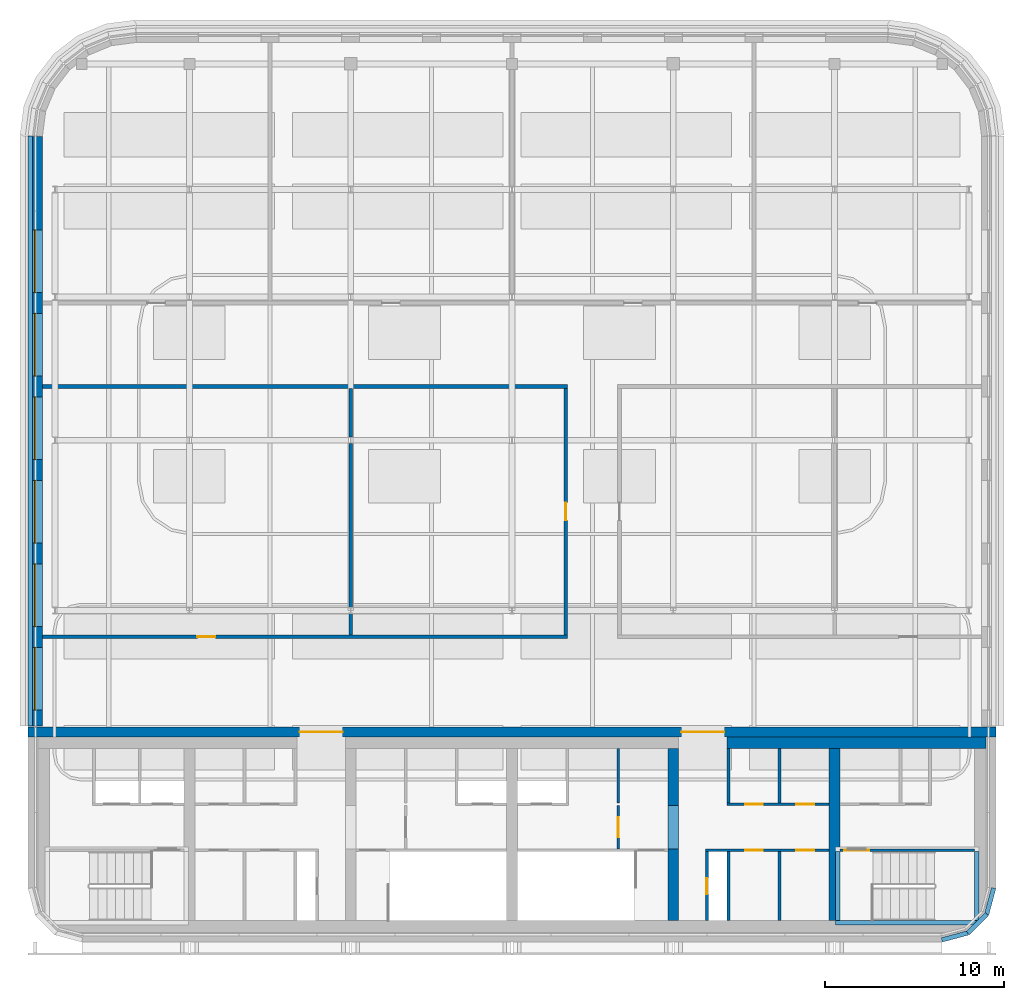
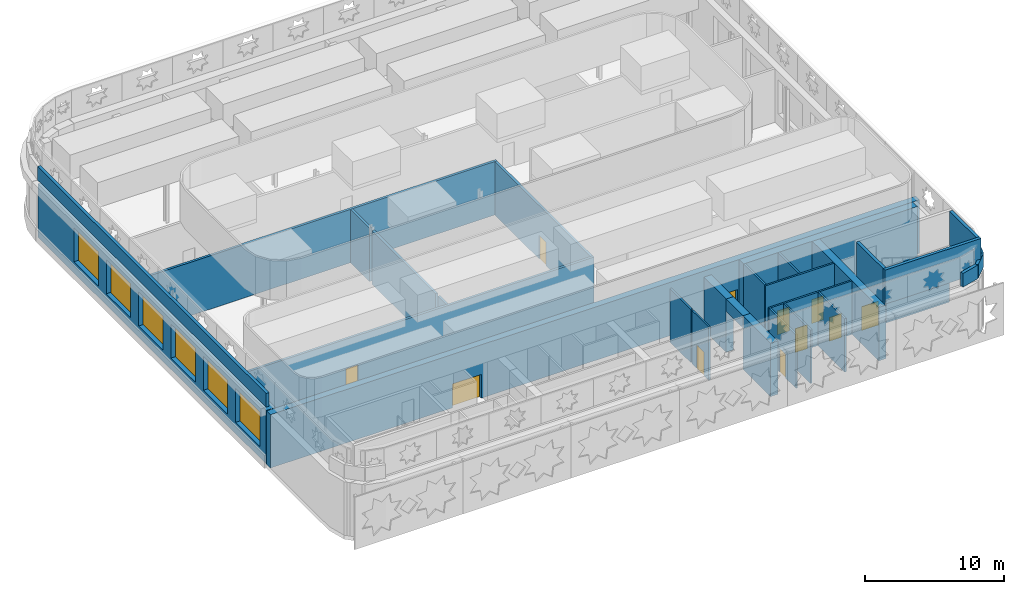
# One storey, part 7 of 14: 30 walls, 11 doors, 6 windows, 17 openings.
"""IFC4 building model written with IfcOpenShell, lengths in metres."""

from ifc_helpers import new_model, si_unit, direction, frame, frame_2d, origin, place, context, subcontext, project, spatial, rectangle, extrude, material, layer, layer_set, type_object, element, fill, save


model = new_model("IFC4")

# Units and contexts
model_context = context("Model", 3, precision=1e-05, world=origin(), true_north=direction((0.0, 1.0)))
body_context = subcontext(model_context, "Body", "Model", "MODEL_VIEW")
ifc_project = project(units=[si_unit("LENGTHUNIT", "METRE"), si_unit("AREAUNIT", "SQUARE_METRE"), si_unit("VOLUMEUNIT", "CUBIC_METRE"), si_unit("PLANEANGLEUNIT", "RADIAN"), si_unit("MASSUNIT", "GRAM", prefix="KILO")], contexts=[model_context])

# Site, building, storey
site_placement = place(None, origin())
site = spatial("IfcSite", under=ifc_project, at=site_placement, CompositionType="ELEMENT")
building_placement = place(site_placement, origin())
building = spatial("IfcBuilding", under=site, at=building_placement, Name="Zellij Exchange Tower", CompositionType="ELEMENT")
storey_placement = place(building_placement, frame((0.0, 0.0, 305.5)))
storey = spatial("IfcBuildingStorey", under=building, at=storey_placement, Name="L71", CompositionType="ELEMENT", Elevation=305.5)

# Walls
ifc_material_1 = material(Name="Concrete C50/60", Category="concrete")
ifc_layer_1 = layer(ifc_material_1, 0.60009765625)
ifc_layer_set_1 = layer_set([ifc_layer_1], Name="Concrete C50/60")
wall_type_1 = type_object("IfcWallType", Name="CORE-CW 600 C50/60", PredefinedType="SHEAR", material=ifc_layer_set_1)
wall_1_placement = place(storey_placement, frame((9.0, -12.800048828125, 0.0), z_axis=(0.0, 0.0, 1.0), x_axis=(0.0, 1.0, 0.0)))
element("IfcWall", 1, at=wall_1_placement, inside=storey, type_object=wall_type_1, Name="Core cross wall pier x 9 a L71", PredefinedType="SHEAR", context=body_context, shape_type="SweptSolid", body=[
    extrude(rectangle(XDim=4.0, YDim=0.60009765625, at=frame_2d((2.0, 0.0))), origin(), (0.0, 0.0, 1.0), 4.699951171875),
])
wall_2_placement = place(storey_placement, frame((9.0, -6.375, 0.0), z_axis=(0.0, 0.0, 1.0), x_axis=(0.0, 1.0, 0.0)))
element("IfcWall", 2, at=wall_2_placement, inside=storey, type_object=wall_type_1, Name="Core cross wall pier x 9 b L71", PredefinedType="SHEAR", context=body_context, shape_type="SweptSolid", body=[
    extrude(rectangle(XDim=3.175048828125, YDim=0.60009765625, at=frame_2d((1.58740234375, 0.0))), origin(), (0.0, 0.0, 1.0), 4.699951171875),
])
wall_3_placement = place(storey_placement, frame((9.0, -8.800048828125, 3.60009765625), z_axis=(0.0, 0.0, 1.0), x_axis=(0.0, 1.0, 0.0)))
element("IfcWall", 3, at=wall_3_placement, inside=storey, type_object=wall_type_1, Name="Core cross wall over opening x 9 L71", PredefinedType="SHEAR", context=body_context, shape_type="SweptSolid", body=[
    extrude(rectangle(XDim=2.425048828125, YDim=0.60009765625, at=frame_2d((1.21240234375, 0.0))), origin(), (0.0, 0.0, 1.0), 1.099853515625),
])
wall_4_placement = place(storey_placement, frame((18.0, -12.800048828125, 0.0), z_axis=(0.0, 0.0, 1.0), x_axis=(0.0, 1.0, 0.0)))
element("IfcWall", 4, at=wall_4_placement, inside=storey, type_object=wall_type_1, Name="Core cross wall x 18 L71", PredefinedType="SHEAR", context=body_context, shape_type="SweptSolid", body=[
    extrude(rectangle(XDim=9.60009765625, YDim=0.60009765625, at=frame_2d((4.800048828125, 0.0))), origin(), (0.0, 0.0, 1.0), 4.699951171875),
])
ifc_material_2 = material(Name="Concrete C40/50", Category="concrete")
ifc_layer_2 = layer(ifc_material_2, 0.25)
ifc_layer_set_2 = layer_set([ifc_layer_2], Name="Concrete C40/50")
wall_type_2 = type_object("IfcWallType", Name="CORE-HW 250 head-house wall", PredefinedType="SOLIDWALL", material=ifc_layer_set_2)
for number, where, z_axis, x_axis, name in (
    (5, (18.175048828125, -12.800048828125, 5.0), (0.0, 0.0, 1.0), (0.0, 1.0, 0.0), "Stair ST4 head-house wall"),
    (6, (25.925048828125, -12.800048828125, 5.0), (0.0, 0.0, 1.0), (0.0, 1.0, 0.0), "Stair ST4 head-house wall"),
):
    element("IfcWall", number, at=place(storey_placement, frame(where, z_axis=z_axis, x_axis=x_axis)), inside=storey, type_object=wall_type_2, Name=name, PredefinedType="SOLIDWALL", context=body_context, shape_type="SweptSolid", body=[
        extrude(rectangle(XDim=3.85009765625, YDim=0.25, at=frame_2d((1.925048828125, 0.0))), origin(), (0.0, 0.0, 1.0), 3.0),
    ])
wall_5_placement = place(storey_placement, frame((18.050048828125, -12.925048828125, 5.0), z_axis=(0.0, 0.0, 1.0), x_axis=(1.0, 0.0, 0.0)))
element("IfcWall", 7, at=wall_5_placement, inside=storey, type_object=wall_type_2, Name="Stair ST4 head-house wall", PredefinedType="SOLIDWALL", context=body_context, shape_type="SweptSolid", body=[
    extrude(rectangle(XDim=8.0, YDim=0.25, at=frame_2d((4.0, 0.0))), origin(), (0.0, 0.0, 1.0), 3.0),
])
ifc_material_3 = material(Name="Concrete C30/37", Category="concrete")
ifc_layer_3 = layer(ifc_material_3, 0.64990234375)
ifc_layer_set_3 = layer_set([ifc_layer_3], Name="Concrete C30/37")
wall_type_3 = type_object("IfcWallType", Name="CORE-LW 650 C30/37", PredefinedType="SHEAR", material=ifc_layer_set_3)
wall_6_placement = place(storey_placement, frame((12.0, -2.875, 0.0), z_axis=(0.0, 0.0, 1.0), x_axis=(1.0, 0.0, 0.0)))
element("IfcWall", 8, at=wall_6_placement, inside=storey, type_object=wall_type_3, Name="Core wall lining front.2 L71", PredefinedType="SHEAR", context=body_context, shape_type="SweptSolid", body=[
    extrude(rectangle(XDim=14.449951171875, YDim=0.64990234375, at=frame_2d((7.22509765625, 0.0))), origin(), (0.0, 0.0, 1.0), 4.699951171875),
])

# Wall, opening, door
ifc_material_4 = material(Name="Gypsum shaft wall system")
ifc_layer_4 = layer(ifc_material_4, 0.14990234375)
ifc_layer_set_4 = layer_set([ifc_layer_4], Name="Gypsum shaft wall system")
wall_type_4 = type_object("IfcWallType", Name="CORE-PW 150 Firefighting lobby wall", PredefinedType="PARTITIONING", material=ifc_layer_set_4)
wall_7_placement = place(storey_placement, frame((5.925048828125, -8.800048828125, 0.0), z_axis=(0.0, 0.0, 1.0), x_axis=(0.0, 1.0, 0.0)))
wall_7 = element("IfcWall", 9, at=wall_7_placement, inside=storey, type_object=wall_type_4, Name="Firefighting lobby wall L71", PredefinedType="PARTITIONING", context=body_context, shape_type="SweptSolid", body=[
    extrude(rectangle(XDim=2.425048828125, YDim=0.14990234375, at=frame_2d((1.21240234375, 0.0))), origin(), (0.0, 0.0, 1.0), 4.699951171875),
])
opening_1_placement = place(wall_7_placement, frame((0.662109375, 0.0, 0.0)))
opening_1 = element("IfcOpeningElement", 10, at=opening_1_placement, cuts=wall_7, Name="Opening CA-38.14", PredefinedType="OPENING", context=body_context, shape_type="SweptSolid", body=[
    extrude(rectangle(XDim=1.10009765625, YDim=2.10009765625, at=frame_2d((0.550048828125, 1.050048828125))), frame((0.0, 0.0869140625, 0.0), z_axis=(0.0, -1.0, 0.0), x_axis=(1.0, 0.0, 0.0)), (0.0, 0.0, 1.0), 0.173828125),
])
ifc_material_5 = material(Name="Hollow metal fire door")
door_type_1 = type_object("IfcDoorType", Name="CORE-D F Firefighting lobby door 1100x2100 1 HR", OperationType="NOTDEFINED", PredefinedType="DOOR", material=ifc_material_5)
door_1_placement = place(opening_1_placement, origin())
door_1 = element("IfcDoor", 11, at=door_1_placement, inside=storey, type_object=door_type_1, Name="Firefighting lobby door CA-38.14", OperationType="SINGLE_SWING_RIGHT", OverallHeight=2.10009765625, OverallWidth=1.10009765625, PredefinedType="DOOR", context=body_context, shape_type="SweptSolid", body=[
    extrude(rectangle(XDim=1.10009765625, YDim=2.10009765625, at=frame_2d((0.550048828125, 1.050048828125))), frame((0.0, 0.02490234375, 0.0), z_axis=(0.0, -1.0, 0.0), x_axis=(1.0, 0.0, 0.0)), (0.0, 0.0, 1.0), 0.050048828125),
])
fill(opening_1, door_1)

# Walls
ifc_layer_5 = layer(ifc_material_4, 0.14990234375)
ifc_layer_set_5 = layer_set([ifc_layer_5], Name="Gypsum shaft wall system")
wall_type_5 = type_object("IfcWallType", Name="CORE-PW 150 Plant room wall", PredefinedType="PARTITIONING", material=ifc_layer_set_5)
for number, where, z_axis, x_axis, name in (
    (12, (5.925048828125, -6.22509765625, 0.0), (0.0, 0.0, 1.0), (0.0, 1.0, 0.0), "Plant room wall L71"),
    (13, (12.074951171875, -6.22509765625, 0.0), (0.0, 0.0, 1.0), (0.0, 1.0, 0.0), "Plant room wall L71"),
    (14, (14.925048828125, -6.22509765625, 0.0), (0.0, 0.0, 1.0), (0.0, 1.0, 0.0), "Plant room wall L71"),
):
    element("IfcWall", number, at=place(storey_placement, frame(where, z_axis=z_axis, x_axis=x_axis)), inside=storey, type_object=wall_type_5, Name=name, PredefinedType="PARTITIONING", context=body_context, shape_type="SweptSolid", body=[
        extrude(rectangle(XDim=3.025146484375, YDim=0.14990234375, at=frame_2d((1.5126953125, 0.0))), origin(), (0.0, 0.0, 1.0), 4.699951171875),
    ])

# Wall, opening, door
wall_8_placement = place(storey_placement, frame((10.875, -12.800048828125, 0.0), z_axis=(0.0, 0.0, 1.0), x_axis=(0.0, 1.0, 0.0)))
wall_8 = element("IfcWall", 15, at=wall_8_placement, inside=storey, type_object=wall_type_5, Name="Plant room wall L71", PredefinedType="PARTITIONING", context=body_context, shape_type="SweptSolid", body=[
    extrude(rectangle(XDim=3.85009765625, YDim=0.14990234375, at=frame_2d((1.925048828125, 0.0))), origin(), (0.0, 0.0, 1.0), 4.699951171875),
])
opening_2_placement = place(wall_8_placement, frame((1.47509765625, 0.0, 0.0)))
opening_2 = element("IfcOpeningElement", 16, at=opening_2_placement, cuts=wall_8, Name="Opening CA-38.17", PredefinedType="OPENING", context=body_context, shape_type="SweptSolid", body=[
    extrude(rectangle(XDim=0.89990234375, YDim=2.10009765625, at=frame_2d((0.449951171875, 1.050048828125))), frame((0.0, 0.0869140625, 0.0), z_axis=(0.0, -1.0, 0.0), x_axis=(1.0, 0.0, 0.0)), (0.0, 0.0, 1.0), 0.173828125),
])
door_type_2 = type_object("IfcDoorType", Name="CORE-D RD Riser door 900x2100 1.5 HR", OperationType="NOTDEFINED", PredefinedType="DOOR", material=ifc_material_5)
door_2_placement = place(opening_2_placement, origin())
door_2 = element("IfcDoor", 17, at=door_2_placement, inside=storey, type_object=door_type_2, Name="Riser door CA-38.17", OperationType="SINGLE_SWING_LEFT", OverallHeight=2.10009765625, OverallWidth=0.89990234375, PredefinedType="DOOR", context=body_context, shape_type="SweptSolid", body=[
    extrude(rectangle(XDim=0.89990234375, YDim=2.10009765625, at=frame_2d((0.449951171875, 1.050048828125))), frame((0.0, 0.02490234375, 0.0), z_axis=(0.0, -1.0, 0.0), x_axis=(1.0, 0.0, 0.0)), (0.0, 0.0, 1.0), 0.050048828125),
])
fill(opening_2, door_2)

# Walls
for number, where, z_axis, x_axis, name in (
    (18, (12.074951171875, -12.800048828125, 0.0), (0.0, 0.0, 1.0), (0.0, 1.0, 0.0), "Plant room wall L71"),
    (19, (14.925048828125, -12.800048828125, 0.0), (0.0, 0.0, 1.0), (0.0, 1.0, 0.0), "Plant room wall L71"),
):
    element("IfcWall", number, at=place(storey_placement, frame(where, z_axis=z_axis, x_axis=x_axis)), inside=storey, type_object=wall_type_5, Name=name, PredefinedType="PARTITIONING", context=body_context, shape_type="SweptSolid", body=[
        extrude(rectangle(XDim=3.85009765625, YDim=0.14990234375, at=frame_2d((1.925048828125, 0.0))), origin(), (0.0, 0.0, 1.0), 4.699951171875),
    ])

# Wall, openings, doors
wall_9_placement = place(storey_placement, frame((12.0, -6.300048828125, 0.0), z_axis=(0.0, 0.0, 1.0), x_axis=(1.0, 0.0, 0.0)))
wall_9 = element("IfcWall", 20, at=wall_9_placement, inside=storey, type_object=wall_type_5, Name="Plant room wall L71", PredefinedType="PARTITIONING", context=body_context, shape_type="SweptSolid", body=[
    extrude(rectangle(XDim=5.699951171875, YDim=0.14990234375, at=frame_2d((2.85009765625, 0.0))), origin(), (0.0, 0.0, 1.0), 4.699951171875),
])
opening_3_placement = place(wall_9_placement, frame((1.0, 0.0, 0.0)))
opening_3 = element("IfcOpeningElement", 21, at=opening_3_placement, cuts=wall_9, Name="Opening CA-38.19", PredefinedType="OPENING", context=body_context, shape_type="SweptSolid", body=[
    extrude(rectangle(XDim=1.0, YDim=2.10009765625, at=frame_2d((0.5, 1.050048828125))), frame((0.0, 0.0869140625, 0.0), z_axis=(0.0, -1.0, 0.0), x_axis=(1.0, 0.0, 0.0)), (0.0, 0.0, 1.0), 0.173828125),
])
opening_4_placement = place(wall_9_placement, frame((3.85009765625, 0.0, 0.0)))
opening_4 = element("IfcOpeningElement", 22, at=opening_4_placement, cuts=wall_9, Name="Opening CA-38.21", PredefinedType="OPENING", context=body_context, shape_type="SweptSolid", body=[
    extrude(rectangle(XDim=1.0, YDim=2.10009765625, at=frame_2d((0.5, 1.050048828125))), frame((0.0, 0.0869140625, 0.0), z_axis=(0.0, -1.0, 0.0), x_axis=(1.0, 0.0, 0.0)), (0.0, 0.0, 1.0), 0.173828125),
])
door_type_3 = type_object("IfcDoorType", Name="CORE-D CDA Core room door 1000x2100 1.5 HR", OperationType="NOTDEFINED", PredefinedType="DOOR", material=ifc_material_5)
door_3_placement = place(opening_3_placement, origin())
door_3 = element("IfcDoor", 23, at=door_3_placement, inside=storey, type_object=door_type_3, Name="Core room door CA-38.19", OperationType="SINGLE_SWING_LEFT", OverallHeight=2.10009765625, OverallWidth=1.0, PredefinedType="DOOR", context=body_context, shape_type="SweptSolid", body=[
    extrude(rectangle(XDim=1.0, YDim=2.10009765625, at=frame_2d((0.5, 1.050048828125))), frame((0.0, 0.02490234375, 0.0), z_axis=(0.0, -1.0, 0.0), x_axis=(1.0, 0.0, 0.0)), (0.0, 0.0, 1.0), 0.050048828125),
])
fill(opening_3, door_3)
door_4_placement = place(opening_4_placement, origin())
door_4 = element("IfcDoor", 24, at=door_4_placement, inside=storey, type_object=door_type_3, Name="Core room door CA-38.21", OperationType="SINGLE_SWING_RIGHT", OverallHeight=2.10009765625, OverallWidth=1.0, PredefinedType="DOOR", context=body_context, shape_type="SweptSolid", body=[
    extrude(rectangle(XDim=1.0, YDim=2.10009765625, at=frame_2d((0.5, 1.050048828125))), frame((0.0, 0.02490234375, 0.0), z_axis=(0.0, -1.0, 0.0), x_axis=(1.0, 0.0, 0.0)), (0.0, 0.0, 1.0), 0.050048828125),
])
fill(opening_4, door_4)

wall_10_placement = place(storey_placement, frame((10.800048828125, -8.875, 0.0), z_axis=(0.0, 0.0, 1.0), x_axis=(1.0, 0.0, 0.0)))
wall_10 = element("IfcWall", 25, at=wall_10_placement, inside=storey, type_object=wall_type_5, Name="Plant room wall L71", PredefinedType="PARTITIONING", context=body_context, shape_type="SweptSolid", body=[
    extrude(rectangle(XDim=6.89990234375, YDim=0.14990234375, at=frame_2d((3.449951171875, 0.0))), origin(), (0.0, 0.0, 1.0), 4.699951171875),
])
opening_5_placement = place(wall_10_placement, frame((2.199951171875, 0.0, 0.0)))
opening_5 = element("IfcOpeningElement", 26, at=opening_5_placement, cuts=wall_10, Name="Opening CA-38.18", PredefinedType="OPENING", context=body_context, shape_type="SweptSolid", body=[
    extrude(rectangle(XDim=1.0, YDim=2.10009765625, at=frame_2d((0.5, 1.050048828125))), frame((0.0, 0.0869140625, 0.0), z_axis=(0.0, -1.0, 0.0), x_axis=(1.0, 0.0, 0.0)), (0.0, 0.0, 1.0), 0.173828125),
])
opening_6_placement = place(wall_10_placement, frame((5.050048828125, 0.0, 0.0)))
opening_6 = element("IfcOpeningElement", 27, at=opening_6_placement, cuts=wall_10, Name="Opening CA-38.20", PredefinedType="OPENING", context=body_context, shape_type="SweptSolid", body=[
    extrude(rectangle(XDim=1.0, YDim=2.10009765625, at=frame_2d((0.5, 1.050048828125))), frame((0.0, 0.0869140625, 0.0), z_axis=(0.0, -1.0, 0.0), x_axis=(1.0, 0.0, 0.0)), (0.0, 0.0, 1.0), 0.173828125),
])
door_5_placement = place(opening_5_placement, origin())
door_5 = element("IfcDoor", 28, at=door_5_placement, inside=storey, type_object=door_type_3, Name="Core room door CA-38.18", OperationType="SINGLE_SWING_RIGHT", OverallHeight=2.10009765625, OverallWidth=1.0, PredefinedType="DOOR", context=body_context, shape_type="SweptSolid", body=[
    extrude(rectangle(XDim=1.0, YDim=2.10009765625, at=frame_2d((0.5, 1.050048828125))), frame((0.0, 0.02490234375, 0.0), z_axis=(0.0, -1.0, 0.0), x_axis=(1.0, 0.0, 0.0)), (0.0, 0.0, 1.0), 0.050048828125),
])
fill(opening_5, door_5)
door_6_placement = place(opening_6_placement, origin())
door_6 = element("IfcDoor", 29, at=door_6_placement, inside=storey, type_object=door_type_3, Name="Core room door CA-38.20", OperationType="SINGLE_SWING_LEFT", OverallHeight=2.10009765625, OverallWidth=1.0, PredefinedType="DOOR", context=body_context, shape_type="SweptSolid", body=[
    extrude(rectangle(XDim=1.0, YDim=2.10009765625, at=frame_2d((0.5, 1.050048828125))), frame((0.0, 0.02490234375, 0.0), z_axis=(0.0, -1.0, 0.0), x_axis=(1.0, 0.0, 0.0)), (0.0, 0.0, 1.0), 0.050048828125),
])
fill(opening_6, door_6)

ifc_layer_6 = layer(ifc_material_1, 0.550048828125)
ifc_layer_set_6 = layer_set([ifc_layer_6], Name="Concrete C50/60")
wall_type_6 = type_object("IfcWallType", Name="CORE-SW 550 C50/60", PredefinedType="SHEAR", material=ifc_layer_set_6)
wall_11_placement = place(storey_placement, frame((-27.0, -2.27490234375, 0.0), z_axis=(0.0, 0.0, 1.0), x_axis=(1.0, 0.0, 0.0)))
wall_11 = element("IfcWall", 30, at=wall_11_placement, inside=storey, type_object=wall_type_6, Name="Core shear wall front L71", PredefinedType="SHEAR", context=body_context, shape_type="SweptSolid", body=[
    extrude(rectangle(XDim=54.0, YDim=0.550048828125, at=frame_2d((27.0, 0.0))), origin(), (0.0, 0.0, 1.0), 4.699951171875),
])
opening_7_placement = place(wall_11_placement, frame((15.14990234375, 0.0, 0.0)))
opening_7 = element("IfcOpeningElement", 31, at=opening_7_placement, cuts=wall_11, Name="Opening CA-38.09", PredefinedType="OPENING", context=body_context, shape_type="SweptSolid", body=[
    extrude(rectangle(XDim=2.39990234375, YDim=2.10009765625, at=frame_2d((1.199951171875, 1.050048828125))), frame((0.0, 0.287109375, 0.0), z_axis=(0.0, -1.0, 0.0), x_axis=(1.0, 0.0, 0.0)), (0.0, 0.0, 1.0), 0.573974609375),
])
opening_8_placement = place(wall_11_placement, frame((36.449951171875, 0.0, 0.0)))
opening_8 = element("IfcOpeningElement", 32, at=opening_8_placement, cuts=wall_11, Name="Opening CA-38.16", PredefinedType="OPENING", context=body_context, shape_type="SweptSolid", body=[
    extrude(rectangle(XDim=2.39990234375, YDim=2.10009765625, at=frame_2d((1.199951171875, 1.050048828125))), frame((0.0, 0.287109375, 0.0), z_axis=(0.0, -1.0, 0.0), x_axis=(1.0, 0.0, 0.0)), (0.0, 0.0, 1.0), 0.573974609375),
])
door_type_4 = type_object("IfcDoorType", Name="CORE-D CE Core entrance door 2400x2100 20 MIN", OperationType="NOTDEFINED", PredefinedType="DOOR", material=ifc_material_5)
door_7_placement = place(opening_7_placement, origin())
door_7 = element("IfcDoor", 33, at=door_7_placement, inside=storey, type_object=door_type_4, Name="Core entrance door CA-38.09", OperationType="DOUBLE_DOOR_SINGLE_SWING", OverallHeight=2.10009765625, OverallWidth=2.39990234375, PredefinedType="DOOR", context=body_context, shape_type="SweptSolid", body=[
    extrude(rectangle(XDim=2.39990234375, YDim=2.10009765625, at=frame_2d((1.199951171875, 1.050048828125))), frame((0.0, 0.02490234375, 0.0), z_axis=(0.0, -1.0, 0.0), x_axis=(1.0, 0.0, 0.0)), (0.0, 0.0, 1.0), 0.050048828125),
])
fill(opening_7, door_7)
door_8_placement = place(opening_8_placement, origin())
door_8 = element("IfcDoor", 34, at=door_8_placement, inside=storey, type_object=door_type_4, Name="Core entrance door CA-38.16", OperationType="DOUBLE_DOOR_SINGLE_SWING", OverallHeight=2.10009765625, OverallWidth=2.39990234375, PredefinedType="DOOR", context=body_context, shape_type="SweptSolid", body=[
    extrude(rectangle(XDim=2.39990234375, YDim=2.10009765625, at=frame_2d((1.199951171875, 1.050048828125))), frame((0.0, 0.02490234375, 0.0), z_axis=(0.0, -1.0, 0.0), x_axis=(1.0, 0.0, 0.0)), (0.0, 0.0, 1.0), 0.050048828125),
])
fill(opening_8, door_8)

# Wall, opening, door
ifc_layer_7 = layer(ifc_material_1, 0.14990234375)
ifc_layer_set_7 = layer_set([ifc_layer_7], Name="Concrete C50/60")
wall_type_7 = type_object("IfcWallType", Name="CORE-SWS 150 C50/60", PredefinedType="SHEAR", material=ifc_layer_set_7)
wall_12_placement = place(storey_placement, frame((18.300048828125, -8.875, 0.0), z_axis=(0.0, 0.0, 1.0), x_axis=(1.0, 0.0, 0.0)))
wall_12 = element("IfcWall", 35, at=wall_12_placement, inside=storey, type_object=wall_type_7, Name="Stair enclosure wall L71", PredefinedType="SHEAR", context=body_context, shape_type="SweptSolid", body=[
    extrude(rectangle(XDim=7.5, YDim=0.14990234375, at=frame_2d((3.75, 0.0))), origin(), (0.0, 0.0, 1.0), 4.699951171875),
])
opening_9_placement = place(wall_12_placement, frame((0.22509765625, 0.0, 0.0)))
opening_9 = element("IfcOpeningElement", 36, at=opening_9_placement, cuts=wall_12, Name="Opening CA-38.22", PredefinedType="OPENING", context=body_context, shape_type="SweptSolid", body=[
    extrude(rectangle(XDim=1.39990234375, YDim=2.10009765625, at=frame_2d((0.699951171875, 1.050048828125))), frame((0.0, 0.0869140625, 0.0), z_axis=(0.0, -1.0, 0.0), x_axis=(1.0, 0.0, 0.0)), (0.0, 0.0, 1.0), 0.173828125),
])
door_type_5 = type_object("IfcDoorType", Name="CORE-D SD Stair door 1400x2100 1.5 HR", OperationType="NOTDEFINED", PredefinedType="DOOR", material=ifc_material_5)
door_9_placement = place(opening_9_placement, origin())
door_9 = element("IfcDoor", 37, at=door_9_placement, inside=storey, type_object=door_type_5, Name="Stair door CA-38.22", OperationType="DOUBLE_DOOR_SINGLE_SWING", OverallHeight=2.10009765625, OverallWidth=1.39990234375, PredefinedType="DOOR", context=body_context, shape_type="SweptSolid", body=[
    extrude(rectangle(XDim=1.39990234375, YDim=2.10009765625, at=frame_2d((0.699951171875, 1.050048828125))), frame((0.0, 0.02490234375, 0.0), z_axis=(0.0, -1.0, 0.0), x_axis=(1.0, 0.0, 0.0)), (0.0, 0.0, 1.0), 0.050048828125),
])
fill(opening_9, door_9)

# Wall, openings, windows
ifc_material_6 = material(Name="Precast concrete C40/50", Category="concrete")
ifc_layer_8 = layer(ifc_material_6, 0.800048828125)
ifc_layer_set_8 = layer_set([ifc_layer_8], Name="Precast concrete C40/50")
wall_type_8 = type_object("IfcWallType", Name="ENV-EW1 Precast stone-piered wall 800", PredefinedType="SOLIDWALL", material=ifc_layer_set_8)
wall_13_placement = place(storey_placement, frame((-26.60009765625, 30.947509765625, 0.0), z_axis=(0.0, 0.0, 1.0), x_axis=(0.0, -1.0, 0.0)))
wall_13 = element("IfcWall", 38, at=wall_13_placement, inside=storey, type_object=wall_type_8, Name="fac.L71.18", PredefinedType="SOLIDWALL", context=body_context, shape_type="SweptSolid", body=[
    extrude(rectangle(XDim=32.8974609375, YDim=0.800048828125, at=frame_2d((16.44873046875, 0.0))), origin(), (0.0, 0.0, 1.0), 4.699951171875),
])
opening_10_placement = place(wall_13_placement, frame((5.210693359375, 0.0, 1.0)))
opening_10 = element("IfcOpeningElement", 39, at=opening_10_placement, cuts=wall_13, Name="Opening FR.15", PredefinedType="OPENING", context=body_context, shape_type="SweptSolid", body=[
    extrude(rectangle(XDim=3.5, YDim=3.0, at=frame_2d((1.75, 1.5))), frame((0.0, 0.412109375, 0.0), z_axis=(0.0, -1.0, 0.0), x_axis=(1.0, 0.0, 0.0)), (0.0, 0.0, 1.0), 0.823974609375),
])
opening_11_placement = place(wall_13_placement, frame((9.868408203125, 0.0, 1.0)))
opening_11 = element("IfcOpeningElement", 40, at=opening_11_placement, cuts=wall_13, Name="Opening FR.16", PredefinedType="OPENING", context=body_context, shape_type="SweptSolid", body=[
    extrude(rectangle(XDim=3.5, YDim=3.0, at=frame_2d((1.75, 1.5))), frame((0.0, 0.412109375, 0.0), z_axis=(0.0, -1.0, 0.0), x_axis=(1.0, 0.0, 0.0)), (0.0, 0.0, 1.0), 0.823974609375),
])
opening_12_placement = place(wall_13_placement, frame((14.526611328125, 0.0, 1.0)))
opening_12 = element("IfcOpeningElement", 41, at=opening_12_placement, cuts=wall_13, Name="Opening FR.17", PredefinedType="OPENING", context=body_context, shape_type="SweptSolid", body=[
    extrude(rectangle(XDim=3.5, YDim=3.0, at=frame_2d((1.75, 1.5))), frame((0.0, 0.412109375, 0.0), z_axis=(0.0, -1.0, 0.0), x_axis=(1.0, 0.0, 0.0)), (0.0, 0.0, 1.0), 0.823974609375),
])
opening_13_placement = place(wall_13_placement, frame((19.184326171875, 0.0, 1.0)))
opening_13 = element("IfcOpeningElement", 42, at=opening_13_placement, cuts=wall_13, Name="Opening FR.18", PredefinedType="OPENING", context=body_context, shape_type="SweptSolid", body=[
    extrude(rectangle(XDim=3.5, YDim=3.0, at=frame_2d((1.75, 1.5))), frame((0.0, 0.412109375, 0.0), z_axis=(0.0, -1.0, 0.0), x_axis=(1.0, 0.0, 0.0)), (0.0, 0.0, 1.0), 0.823974609375),
])
opening_14_placement = place(wall_13_placement, frame((23.84228515625, 0.0, 1.0)))
opening_14 = element("IfcOpeningElement", 43, at=opening_14_placement, cuts=wall_13, Name="Opening FR.19", PredefinedType="OPENING", context=body_context, shape_type="SweptSolid", body=[
    extrude(rectangle(XDim=3.5, YDim=3.0, at=frame_2d((1.75, 1.5))), frame((0.0, 0.412109375, 0.0), z_axis=(0.0, -1.0, 0.0), x_axis=(1.0, 0.0, 0.0)), (0.0, 0.0, 1.0), 0.823974609375),
])
opening_15_placement = place(wall_13_placement, frame((28.500244140625, 0.0, 1.0)))
opening_15 = element("IfcOpeningElement", 44, at=opening_15_placement, cuts=wall_13, Name="Opening FR.20", PredefinedType="OPENING", context=body_context, shape_type="SweptSolid", body=[
    extrude(rectangle(XDim=3.5, YDim=3.0, at=frame_2d((1.75, 1.5))), frame((0.0, 0.412109375, 0.0), z_axis=(0.0, -1.0, 0.0), x_axis=(1.0, 0.0, 0.0)), (0.0, 0.0, 1.0), 0.823974609375),
])
ifc_material_7 = material(Name="Aluminium louvre", Category="aluminium")
window_type = type_object("IfcWindowType", Name="ENV-W4 Window 3500x3000", PartitioningType="SINGLE_PANEL", PredefinedType="WINDOW", material=ifc_material_7)
window_1_placement = place(opening_10_placement, origin())
window_1 = element("IfcWindow", 45, at=window_1_placement, inside=storey, type_object=window_type, Name="Window FR.15", OverallHeight=3.0, OverallWidth=3.5, PartitioningType="SINGLE_PANEL", PredefinedType="WINDOW", context=body_context, shape_type="SweptSolid", body=[
    extrude(rectangle(XDim=3.5, YDim=3.0, at=frame_2d((1.75, 1.5))), frame((0.0, 0.030029296875, 0.0), z_axis=(0.0, -1.0, 0.0), x_axis=(1.0, 0.0, 0.0)), (0.0, 0.0, 1.0), 0.06005859375),
])
fill(opening_10, window_1)
window_2_placement = place(opening_11_placement, origin())
window_2 = element("IfcWindow", 46, at=window_2_placement, inside=storey, type_object=window_type, Name="Window FR.16", OverallHeight=3.0, OverallWidth=3.5, PartitioningType="SINGLE_PANEL", PredefinedType="WINDOW", context=body_context, shape_type="SweptSolid", body=[
    extrude(rectangle(XDim=3.5, YDim=3.0, at=frame_2d((1.75, 1.5))), frame((0.0, 0.030029296875, 0.0), z_axis=(0.0, -1.0, 0.0), x_axis=(1.0, 0.0, 0.0)), (0.0, 0.0, 1.0), 0.06005859375),
])
fill(opening_11, window_2)
window_3_placement = place(opening_12_placement, origin())
window_3 = element("IfcWindow", 47, at=window_3_placement, inside=storey, type_object=window_type, Name="Window FR.17", OverallHeight=3.0, OverallWidth=3.5, PartitioningType="SINGLE_PANEL", PredefinedType="WINDOW", context=body_context, shape_type="SweptSolid", body=[
    extrude(rectangle(XDim=3.5, YDim=3.0, at=frame_2d((1.75, 1.5))), frame((0.0, 0.030029296875, 0.0), z_axis=(0.0, -1.0, 0.0), x_axis=(1.0, 0.0, 0.0)), (0.0, 0.0, 1.0), 0.06005859375),
])
fill(opening_12, window_3)
window_4_placement = place(opening_13_placement, origin())
window_4 = element("IfcWindow", 48, at=window_4_placement, inside=storey, type_object=window_type, Name="Window FR.18", OverallHeight=3.0, OverallWidth=3.5, PartitioningType="SINGLE_PANEL", PredefinedType="WINDOW", context=body_context, shape_type="SweptSolid", body=[
    extrude(rectangle(XDim=3.5, YDim=3.0, at=frame_2d((1.75, 1.5))), frame((0.0, 0.030029296875, 0.0), z_axis=(0.0, -1.0, 0.0), x_axis=(1.0, 0.0, 0.0)), (0.0, 0.0, 1.0), 0.06005859375),
])
fill(opening_13, window_4)
window_5_placement = place(opening_14_placement, origin())
window_5 = element("IfcWindow", 49, at=window_5_placement, inside=storey, type_object=window_type, Name="Window FR.19", OverallHeight=3.0, OverallWidth=3.5, PartitioningType="SINGLE_PANEL", PredefinedType="WINDOW", context=body_context, shape_type="SweptSolid", body=[
    extrude(rectangle(XDim=3.5, YDim=3.0, at=frame_2d((1.75, 1.5))), frame((0.0, 0.030029296875, 0.0), z_axis=(0.0, -1.0, 0.0), x_axis=(1.0, 0.0, 0.0)), (0.0, 0.0, 1.0), 0.06005859375),
])
fill(opening_14, window_5)
window_6_placement = place(opening_15_placement, origin())
window_6 = element("IfcWindow", 50, at=window_6_placement, inside=storey, type_object=window_type, Name="Window FR.20", OverallHeight=3.0, OverallWidth=3.5, PartitioningType="SINGLE_PANEL", PredefinedType="WINDOW", context=body_context, shape_type="SweptSolid", body=[
    extrude(rectangle(XDim=3.5, YDim=3.0, at=frame_2d((1.75, 1.5))), frame((0.0, 0.030029296875, 0.0), z_axis=(0.0, -1.0, 0.0), x_axis=(1.0, 0.0, 0.0)), (0.0, 0.0, 1.0), 0.06005859375),
])
fill(opening_15, window_6)

# Walls
ifc_layer_9 = layer(ifc_material_6, 0.25)
ifc_layer_set_9 = layer_set([ifc_layer_9], Name="Precast concrete C40/50")
wall_type_9 = type_object("IfcWallType", Name="ENV-PR1 Parapet 250", PredefinedType="PARAPET", material=ifc_layer_set_9)
wall_14_placement = place(storey_placement, frame((23.9833984375, -13.875, 5.0), z_axis=(0.0, 0.0, 1.0), x_axis=(0.965945876772, 0.258744204086, 0.0)))
element("IfcWall", 51, at=wall_14_placement, inside=storey, type_object=wall_type_9, Name="fac.par.roof.01.00000.01", PredefinedType="PARAPET", context=body_context, shape_type="SweptSolid", body=[
    extrude(rectangle(XDim=1.503173828125, YDim=0.25, at=frame_2d((0.75146484375, 0.0))), origin(), (0.0, 0.0, 1.0), 1.199951171875),
])
wall_15_placement = place(storey_placement, frame((25.435302734375, -13.486083984375, 5.0), z_axis=(0.0, 0.0, 1.0), x_axis=(0.707106781187, 0.707106781187, 0.0)))
element("IfcWall", 52, at=wall_15_placement, inside=storey, type_object=wall_type_9, Name="fac.par.roof.02.00000.01", PredefinedType="PARAPET", context=body_context, shape_type="SweptSolid", body=[
    extrude(rectangle(XDim=1.486083984375, YDim=0.25, at=frame_2d((0.7431640625, 0.0))), origin(), (0.0, 0.0, 1.0), 1.199951171875),
])
wall_16_placement = place(storey_placement, frame((26.486083984375, -12.435302734375, 5.0), z_axis=(0.0, 0.0, 1.0), x_axis=(0.258744204086, 0.965945876772, 0.0)))
element("IfcWall", 53, at=wall_16_placement, inside=storey, type_object=wall_type_9, Name="fac.par.roof.03.00000.01", PredefinedType="PARAPET", context=body_context, shape_type="SweptSolid", body=[
    extrude(rectangle(XDim=1.503173828125, YDim=0.25, at=frame_2d((0.75146484375, 0.0))), origin(), (0.0, 0.0, 1.0), 1.199951171875),
])
wall_17_placement = place(storey_placement, frame((-26.875, 30.99169921875, 5.0), z_axis=(0.0, 0.0, 1.0), x_axis=(0.0, -1.0, 0.0)))
element("IfcWall", 54, at=wall_17_placement, inside=storey, type_object=wall_type_9, Name="fac.par.roof.18.00000.01", PredefinedType="PARAPET", context=body_context, shape_type="SweptSolid", body=[
    extrude(rectangle(XDim=32.941650390625, YDim=0.25, at=frame_2d((16.470703125, 0.0))), origin(), (0.0, 0.0, 1.0), 1.199951171875),
])

# Wall, opening, door
ifc_material_8 = material(Name="Blockwork fire wall", Category="masonry")
ifc_layer_10 = layer(ifc_material_8, 0.199951171875)
ifc_layer_set_10 = layer_set([ifc_layer_10], Name="Blockwork fire wall")
wall_type_10 = type_object("IfcWallType", Name="FIT-BLOCKWORK-200-EI120", PredefinedType="PARTITIONING", material=ifc_layer_set_10)
wall_18_placement = place(storey_placement, frame((-26.199951171875, 3.030029296875, 0.0), z_axis=(0.0, 0.0, 1.0), x_axis=(1.0, 0.0, 0.0)))
wall_18 = element("IfcWall", 55, at=wall_18_placement, inside=storey, type_object=wall_type_10, Name="FIT-BLOCKWORK-200-EI120 001", PredefinedType="PARTITIONING", context=body_context, shape_type="SweptSolid", body=[
    extrude(rectangle(XDim=29.300048828125, YDim=0.199951171875, at=frame_2d((14.64990234375, 0.0))), origin(), (0.0, 0.0, 1.0), 4.699951171875),
])
opening_16_placement = place(wall_18_placement, frame((8.64990234375, 0.0, 0.0)))
opening_16 = element("IfcOpeningElement", 56, at=opening_16_placement, cuts=wall_18, Name="Opening PRF.01", PredefinedType="OPENING", context=body_context, shape_type="SweptSolid", body=[
    extrude(rectangle(XDim=1.0, YDim=2.10009765625, at=frame_2d((0.5, 1.050048828125))), frame((0.0, 0.11181640625, 0.0), z_axis=(0.0, -1.0, 0.0), x_axis=(1.0, 0.0, 0.0)), (0.0, 0.0, 1.0), 0.223876953125),
])
ifc_material_9 = material(Name="Steel fire door set", Category="steel")
door_type_6 = type_object("IfcDoorType", Name="FIT-D21-PLANT-1000X2100", OperationType="SINGLE_SWING_LEFT", PredefinedType="DOOR", material=ifc_material_9)
door_10_placement = place(opening_16_placement, origin())
door_10 = element("IfcDoor", 57, at=door_10_placement, inside=storey, type_object=door_type_6, Name="Door PRF.01", OperationType="SINGLE_SWING_RIGHT", OverallHeight=2.10009765625, OverallWidth=1.0, PredefinedType="DOOR", context=body_context, shape_type="SweptSolid", body=[
    extrude(rectangle(XDim=1.0, YDim=2.10009765625, at=frame_2d((0.5, 1.050048828125))), frame((0.0, 0.02490234375, 0.0), z_axis=(0.0, -1.0, 0.0), x_axis=(1.0, 0.0, 0.0)), (0.0, 0.0, 1.0), 0.050048828125),
])
fill(opening_16, door_10)

# Walls
wall_19_placement = place(storey_placement, frame((-9.0, 3.1298828125, 0.0), z_axis=(0.0, 0.0, 1.0), x_axis=(0.0, 1.0, 0.0)))
element("IfcWall", 58, at=wall_19_placement, inside=storey, type_object=wall_type_10, Name="FIT-BLOCKWORK-200-EI120 002", PredefinedType="PARTITIONING", context=body_context, shape_type="SweptSolid", body=[
    extrude(rectangle(XDim=1.193603515625, YDim=0.199951171875, at=frame_2d((0.5966796875, 0.0))), origin(), (0.0, 0.0, 1.0), 4.699951171875),
])
wall_20_placement = place(storey_placement, frame((-9.0, 4.676513671875, 0.0), z_axis=(0.0, 0.0, 1.0), x_axis=(0.0, 1.0, 0.0)))
element("IfcWall", 59, at=wall_20_placement, inside=storey, type_object=wall_type_10, Name="FIT-BLOCKWORK-200-EI120 003", PredefinedType="PARTITIONING", context=body_context, shape_type="SweptSolid", body=[
    extrude(rectangle(XDim=9.14697265625, YDim=0.199951171875, at=frame_2d((4.573486328125, 0.0))), origin(), (0.0, 0.0, 1.0), 4.699951171875),
])
wall_21_placement = place(storey_placement, frame((-9.0, 14.176513671875, 0.0), z_axis=(0.0, 0.0, 1.0), x_axis=(0.0, 1.0, 0.0)))
element("IfcWall", 60, at=wall_21_placement, inside=storey, type_object=wall_type_10, Name="FIT-BLOCKWORK-200-EI120 004", PredefinedType="PARTITIONING", context=body_context, shape_type="SweptSolid", body=[
    extrude(rectangle(XDim=2.723388671875, YDim=0.199951171875, at=frame_2d((1.36181640625, 0.0))), origin(), (0.0, 0.0, 1.0), 4.699951171875),
])

# Wall, opening, door
wall_22_placement = place(storey_placement, frame((3.0, 3.1298828125, 0.0), z_axis=(0.0, 0.0, 1.0), x_axis=(0.0, 1.0, 0.0)))
wall_22 = element("IfcWall", 61, at=wall_22_placement, inside=storey, type_object=wall_type_10, Name="FIT-BLOCKWORK-200-EI120 005", PredefinedType="PARTITIONING", context=body_context, shape_type="SweptSolid", body=[
    extrude(rectangle(XDim=13.77001953125, YDim=0.199951171875, at=frame_2d((6.885009765625, 0.0))), origin(), (0.0, 0.0, 1.0), 4.699951171875),
])
opening_17_placement = place(wall_22_placement, frame((6.39990234375, 0.0, 0.0)))
opening_17 = element("IfcOpeningElement", 62, at=opening_17_placement, cuts=wall_22, Name="Opening PRF.03", PredefinedType="OPENING", context=body_context, shape_type="SweptSolid", body=[
    extrude(rectangle(XDim=1.0, YDim=2.10009765625, at=frame_2d((0.5, 1.050048828125))), frame((0.0, 0.11181640625, 0.0), z_axis=(0.0, -1.0, 0.0), x_axis=(1.0, 0.0, 0.0)), (0.0, 0.0, 1.0), 0.223876953125),
])
door_11_placement = place(opening_17_placement, origin())
door_11 = element("IfcDoor", 63, at=door_11_placement, inside=storey, type_object=door_type_6, Name="Door PRF.03", OperationType="SINGLE_SWING_RIGHT", OverallHeight=2.10009765625, OverallWidth=1.0, PredefinedType="DOOR", context=body_context, shape_type="SweptSolid", body=[
    extrude(rectangle(XDim=1.0, YDim=2.10009765625, at=frame_2d((0.5, 1.050048828125))), frame((0.0, 0.02490234375, 0.0), z_axis=(0.0, -1.0, 0.0), x_axis=(1.0, 0.0, 0.0)), (0.0, 0.0, 1.0), 0.050048828125),
])
fill(opening_17, door_11)

# Wall
wall_23_placement = place(storey_placement, frame((-26.199951171875, 17.0, 0.0), z_axis=(0.0, 0.0, 1.0), x_axis=(1.0, 0.0, 0.0)))
element("IfcWall", 64, at=wall_23_placement, inside=storey, type_object=wall_type_10, Name="FIT-BLOCKWORK-200-EI120 011", PredefinedType="PARTITIONING", context=body_context, shape_type="SweptSolid", body=[
    extrude(rectangle(XDim=29.300048828125, YDim=0.199951171875, at=frame_2d((14.64990234375, 0.0))), origin(), (0.0, 0.0, 1.0), 4.699951171875),
])

save(model, "model.ifc")
